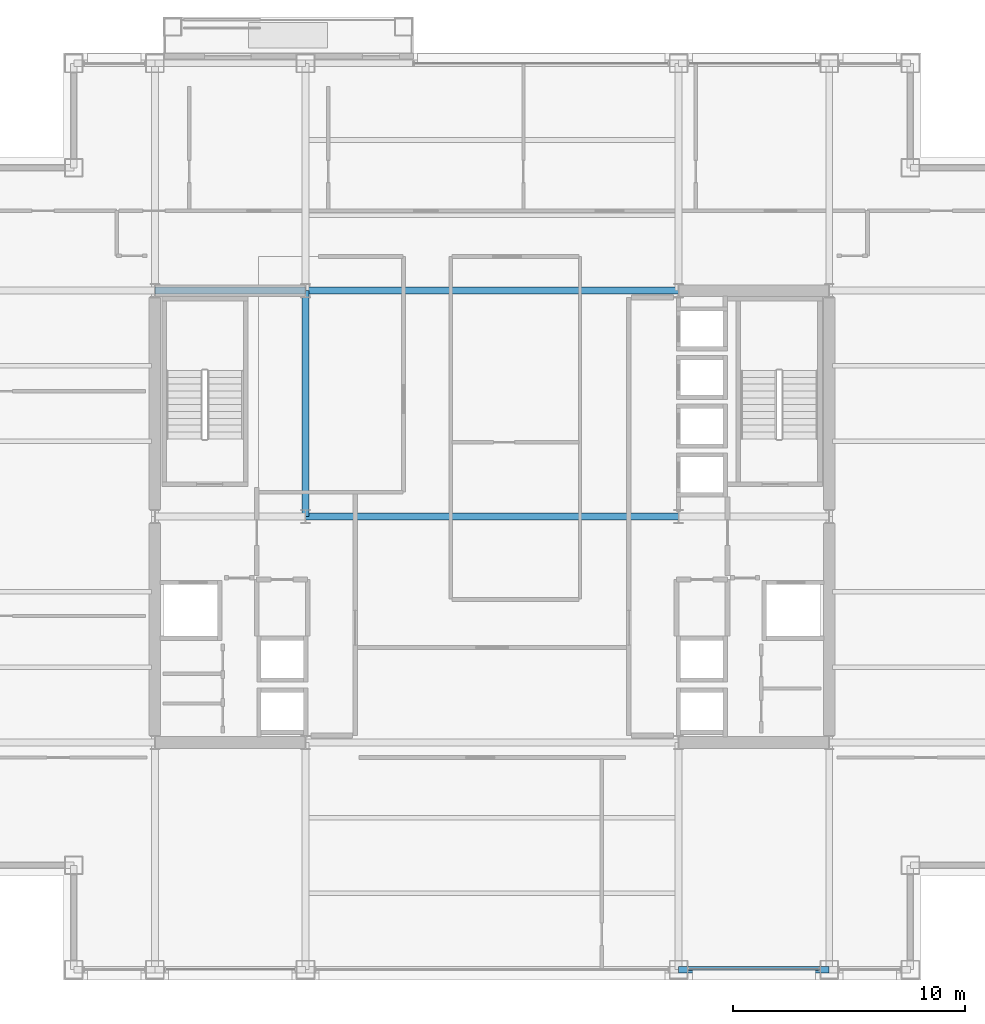
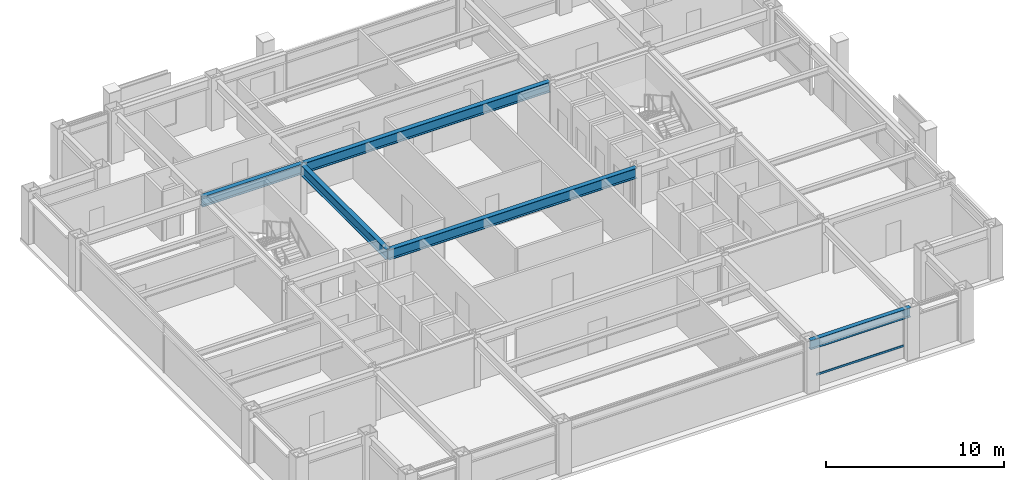
# One storey, part 11 of 29: 5 beams, 1 member, 1 element without a shape of its own.
"""IFC4 building model written with IfcOpenShell, lengths in metres."""

from ifc_helpers import new_model, si_unit, direction, frame, origin, origin_2d, place, context, subcontext, project, spatial, hollow_rectangle, i_section, extrude, material, layer, layer_set, material_profile, profile_set, type_object, element, aggregate, save


model = new_model("IFC4")

# Units and contexts
model_context = context("Model", 3, precision=1e-05, world=origin(), true_north=direction((0.0, 1.0)))
body_context = subcontext(model_context, "Body", "Model", "MODEL_VIEW")
ifc_project = project(units=[si_unit("LENGTHUNIT", "METRE"), si_unit("AREAUNIT", "SQUARE_METRE"), si_unit("VOLUMEUNIT", "CUBIC_METRE"), si_unit("PLANEANGLEUNIT", "RADIAN"), si_unit("MASSUNIT", "GRAM", prefix="KILO")], contexts=[model_context])

# Site, building, storey
site_placement = place(None, origin())
site = spatial("IfcSite", under=ifc_project, at=site_placement, CompositionType="ELEMENT")
building_placement = place(site_placement, origin())
building = spatial("IfcBuilding", under=site, at=building_placement, Name="Brelmoor Portico Tower", CompositionType="ELEMENT")
storey_placement = place(building_placement, frame((0.0, 0.0, 135.0)))
storey = spatial("IfcBuildingStorey", under=building, at=storey_placement, Name="L35", CompositionType="ELEMENT", Elevation=135.0)

# Beams
ifc_material_1 = material(Name="Steel Q355B", Category="steel")
ifc_material_profile_1 = material_profile(ifc_material_1, i_section(OverallWidth=0.300048828125, OverallDepth=0.699951171875, WebThickness=0.012939453125, FlangeThickness=0.02392578125, at=origin_2d()), Name="HN 700x300x13x24")
ifc_profile_set_1 = profile_set([ifc_material_profile_1], Name="Steel Q355B")
beam_type_1 = type_object("IfcBeamType", Name="BM-PG-700", PredefinedType="BEAM", material=ifc_profile_set_1)
beam_1_placement = place(storey_placement, frame((-8.050048828125, 0.0, 3.050048828125), z_axis=(0.0, 1.0, 0.0), x_axis=(-1.0, 0.0, 0.0)))
element("IfcBeam", 1, at=beam_1_placement, inside=storey, type_object=beam_type_1, Name="L35 Primary Floor Girder PG-06", PredefinedType="BEAM", context=body_context, shape_type="SweptSolid", body=[
    extrude(i_section(OverallWidth=0.300048828125, OverallDepth=0.699951171875, WebThickness=0.012939453125, FlangeThickness=0.02392578125, at=origin_2d()), origin(), (0.0, 0.0, 1.0), 9.75),
])
beam_2_placement = place(storey_placement, frame((-8.050048828125, 0.0, 3.050048828125), z_axis=(1.0, 0.0, 0.0), x_axis=(0.0, 1.0, 0.0)))
element("IfcBeam", 2, at=beam_2_placement, inside=storey, type_object=beam_type_1, Name="L35 Primary Floor Girder PG-20", PredefinedType="BEAM", context=body_context, shape_type="SweptSolid", body=[
    extrude(i_section(OverallWidth=0.300048828125, OverallDepth=0.699951171875, WebThickness=0.012939453125, FlangeThickness=0.02392578125, at=origin_2d()), origin(), (0.0, 0.0, 1.0), 16.10009765625),
])
beam_3_placement = place(storey_placement, frame((-14.550048828125, 9.75, 3.050048828125), z_axis=(1.0, 0.0, 0.0), x_axis=(0.0, 1.0, 0.0)))
element("IfcBeam", 3, at=beam_3_placement, inside=storey, type_object=beam_type_1, Name="L35 Primary Floor Girder PG-23", PredefinedType="BEAM", context=body_context, shape_type="SweptSolid", body=[
    extrude(i_section(OverallWidth=0.300048828125, OverallDepth=0.699951171875, WebThickness=0.012939453125, FlangeThickness=0.02392578125, at=origin_2d()), origin(), (0.0, 0.0, 1.0), 6.5),
])
beam_4_placement = place(storey_placement, frame((-8.050048828125, 9.75, 3.050048828125), z_axis=(1.0, 0.0, 0.0), x_axis=(0.0, 1.0, 0.0)))
element("IfcBeam", 4, at=beam_4_placement, inside=storey, type_object=beam_type_1, Name="L35 Primary Floor Girder PG-24", PredefinedType="BEAM", context=body_context, shape_type="SweptSolid", body=[
    extrude(i_section(OverallWidth=0.300048828125, OverallDepth=0.699951171875, WebThickness=0.012939453125, FlangeThickness=0.02392578125, at=origin_2d()), origin(), (0.0, 0.0, 1.0), 16.10009765625),
])
ifc_material_profile_2 = material_profile(ifc_material_1, i_section(OverallWidth=0.280029296875, OverallDepth=0.64990234375, WebThickness=0.012939453125, FlangeThickness=0.02197265625, at=origin_2d()), Name="HN 650x280x13x22")
ifc_profile_set_2 = profile_set([ifc_material_profile_2], Name="Steel Q355B")
beam_type_2 = type_object("IfcBeamType", Name="BM-SP-650", PredefinedType="SPANDREL", material=ifc_profile_set_2)
beam_5_placement = place(storey_placement, frame((8.050048828125, -19.550048828125, 3.074951171875), z_axis=(1.0, 0.0, 0.0), x_axis=(0.0, 1.0, 0.0)))
element("IfcBeam", 5, at=beam_5_placement, inside=storey, type_object=beam_type_2, Name="L35 Perimeter Spandrel Beam SP-04", PredefinedType="SPANDREL", context=body_context, shape_type="SweptSolid", body=[
    extrude(i_section(OverallWidth=0.280029296875, OverallDepth=0.64990234375, WebThickness=0.012939453125, FlangeThickness=0.02197265625, at=origin_2d()), origin(), (0.0, 0.0, 1.0), 6.5),
])

# Curtain wall, member
ifc_material_2 = material(Name="Anodised Aluminium Alloy 6063-T6", Category="aluminium")
ifc_layer = layer(ifc_material_2, 0.179931640625)
ifc_layer_set = layer_set([ifc_layer], Name="Anodised Aluminium Alloy 6063-T6")
curtain_wall_type = type_object("IfcCurtainWallType", Name="CW-TOWER-Z2", PredefinedType="NOTDEFINED", material=ifc_layer_set)
curtain_wall_placement = place(storey_placement, origin())
curtain_wall = element("IfcCurtainWall", 6, at=curtain_wall_placement, inside=storey, type_object=curtain_wall_type, Name="L35 Curtain Wall CW-L35-01-4", PredefinedType="NOTDEFINED")
ifc_material_profile_3 = material_profile(ifc_material_2, hollow_rectangle(XDim=0.06494140625, YDim=0.139892578125, WallThickness=0.00390625, at=origin_2d()), Name="ALU TRANSOM 65x140")
ifc_profile_set_3 = profile_set([ifc_material_profile_3], Name="Anodised Aluminium Alloy 6063-T6")
member_type = type_object("IfcMemberType", Name="MB-CW-TRAN-140", PredefinedType="USERDEFINED", material=ifc_profile_set_3)
member_placement = place(storey_placement, frame((8.4599609375, -19.550048828125, 0.85009765625), z_axis=(1.0, 0.0, 0.0), x_axis=(0.0, 1.0, 0.0)))
member = element("IfcMember", 7, at=member_placement, type_object=member_type, Name="CW-L35-01-4 Transom 1-00", ObjectType="TRANSOM", PredefinedType="USERDEFINED", context=body_context, shape_type="SweptSolid", body=[
    extrude(hollow_rectangle(XDim=0.06494140625, YDim=0.139892578125, WallThickness=0.00390625, at=origin_2d()), origin(), (0.0, 0.0, 1.0), 5.679931640625),
])
aggregate(curtain_wall, [member])

save(model, "model.ifc")
